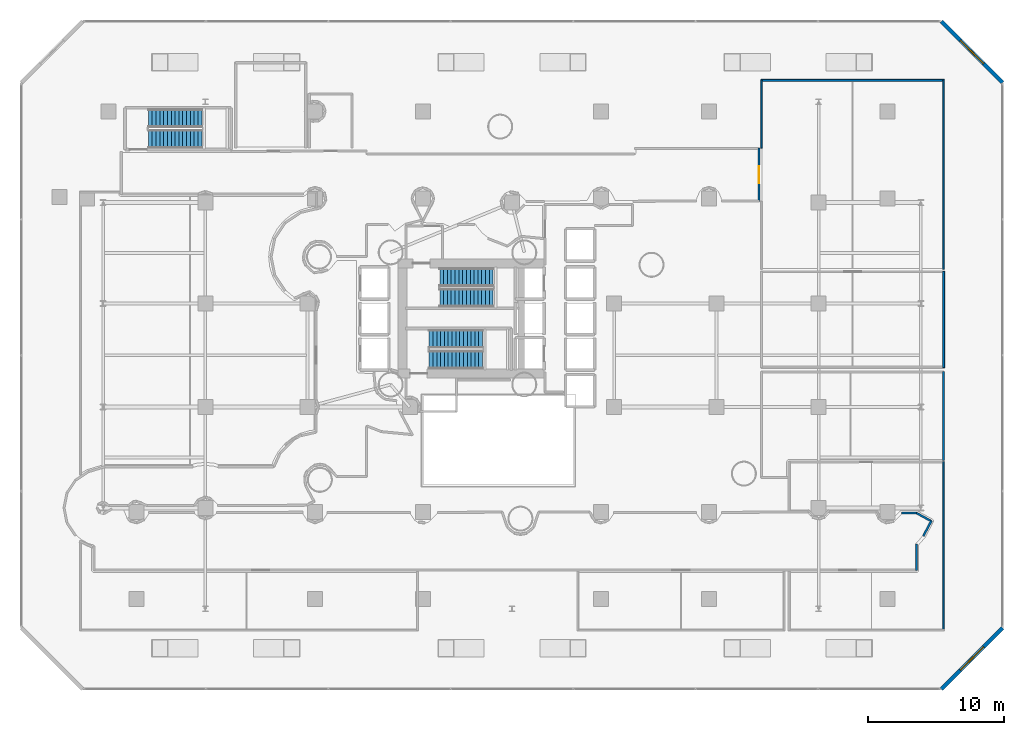
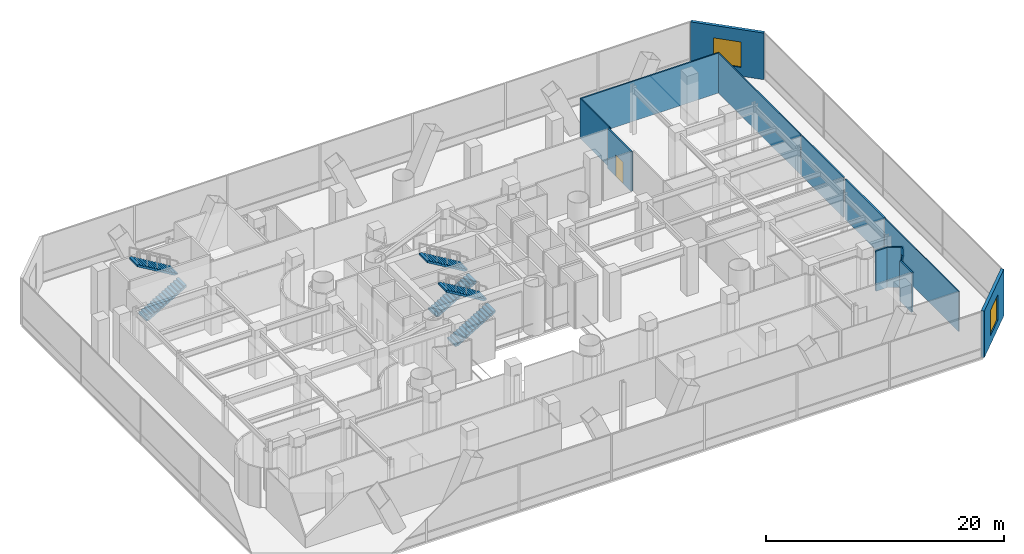
# One storey, part 35 of 42: 13 walls, 6 stair flights, 2 windows, 1 door, 3 openings, 3 elements without a shape of their own.
"""IFC4 building model written with IfcOpenShell, lengths in metres."""

from ifc_helpers import new_model, si_unit, direction, frame, frame_2d, origin, place, context, subcontext, project, spatial, polyline, rectangle, outline, extrude, material, layer, layer_set, type_object, element, fill, aggregate, save


model = new_model("IFC4")

# Units and contexts
model_context = context("Model", 3, precision=1e-05, world=origin(), true_north=direction((0.0, 1.0)))
body_context = subcontext(model_context, "Body", "Model", "MODEL_VIEW")
ifc_project = project(units=[si_unit("LENGTHUNIT", "METRE"), si_unit("AREAUNIT", "SQUARE_METRE"), si_unit("VOLUMEUNIT", "CUBIC_METRE"), si_unit("PLANEANGLEUNIT", "RADIAN"), si_unit("MASSUNIT", "GRAM", prefix="KILO")], contexts=[model_context])

# Site, building, storey
site_placement = place(None, origin())
site = spatial("IfcSite", under=ifc_project, at=site_placement, CompositionType="ELEMENT")
building_placement = place(site_placement, origin())
building = spatial("IfcBuilding", under=site, at=building_placement, Name="Qianvela Tower", CompositionType="ELEMENT")
storey_placement = place(building_placement, frame((0.0, 0.0, 6.0)))
storey = spatial("IfcBuildingStorey", under=building, at=storey_placement, Name="L01", CompositionType="ELEMENT", Elevation=6.0)

# Wall, opening, window
ifc_material_1 = material(Name="Terracotta Cladding on Concrete C40", Category="masonry")
ifc_layer_1 = layer(ifc_material_1, 0.280029296875)
ifc_layer_set_1 = layer_set([ifc_layer_1], Name="Terracotta Cladding on Concrete C40")
wall_type_1 = type_object("IfcWallType", Name="TERRACOTTA-WALL-280", PredefinedType="SOLIDWALL", material=ifc_layer_set_1)
wall_1_placement = place(storey_placement, frame((69.0, 1.5, 0.0), z_axis=(0.0, 0.0, 1.0), x_axis=(0.707106781187, 0.707106781187, 0.0)))
wall_1 = element("IfcWall", 1, at=wall_1_placement, inside=storey, type_object=wall_type_1, Name="L01 Terracotta Corner Wall 2", PredefinedType="SOLIDWALL", context=body_context, shape_type="SweptSolid", body=[
    extrude(rectangle(XDim=6.364013671875, YDim=0.280029296875, at=frame_2d((3.18212890625, 0.0))), origin(), (0.0, 0.0, 1.0), 4.780029296875),
])
opening_1_placement = place(wall_1_placement, frame((1.98193359375, 0.0, 0.89990234375)))
opening_1 = element("IfcOpeningElement", 2, at=opening_1_placement, cuts=wall_1, Name="Opening W-05", PredefinedType="OPENING", context=body_context, shape_type="SweptSolid", body=[
    extrude(rectangle(XDim=2.39990234375, YDim=2.60009765625, at=frame_2d((1.199951171875, 1.300048828125))), frame((0.0, 0.14990234375, 0.0), z_axis=(0.0, -1.0, 0.0), x_axis=(1.0, 0.0, 0.0)), (0.0, 0.0, 1.0), 0.300048828125),
])
ifc_material_2 = material(Name="Thermally Broken Aluminium and Low-E Glass", Category="aluminium")
window_type = type_object("IfcWindowType", Name="WIN-POD-2400x2600", PartitioningType="TRIPLE_PANEL_VERTICAL", PredefinedType="WINDOW", material=ifc_material_2)
window_1_placement = place(opening_1_placement, origin())
window_1 = element("IfcWindow", 3, at=window_1_placement, inside=storey, type_object=window_type, Name="L01 Chamfer Facet Window 2.1", OverallHeight=2.60009765625, OverallWidth=2.39990234375, PartitioningType="SINGLE_PANEL", PredefinedType="WINDOW", context=body_context, shape_type="SweptSolid", body=[
    extrude(rectangle(XDim=2.39990234375, YDim=2.60009765625, at=frame_2d((1.199951171875, 1.300048828125))), frame((0.0, 0.030029296875, 0.0), z_axis=(0.0, -1.0, 0.0), x_axis=(1.0, 0.0, 0.0)), (0.0, 0.0, 1.0), 0.06005859375),
])
fill(opening_1, window_1)

wall_2_placement = place(storey_placement, frame((73.5, 46.0, 0.0), z_axis=(0.0, 0.0, 1.0), x_axis=(-0.707106781187, 0.707106781187, 0.0)))
wall_2 = element("IfcWall", 4, at=wall_2_placement, inside=storey, type_object=wall_type_1, Name="L01 Terracotta Corner Wall 4", PredefinedType="SOLIDWALL", context=body_context, shape_type="SweptSolid", body=[
    extrude(rectangle(XDim=6.364013671875, YDim=0.280029296875, at=frame_2d((3.18212890625, 0.0))), origin(), (0.0, 0.0, 1.0), 4.780029296875),
])
opening_2_placement = place(wall_2_placement, frame((1.98193359375, 0.0, 0.89990234375)))
opening_2 = element("IfcOpeningElement", 5, at=opening_2_placement, cuts=wall_2, Name="Opening W-05", PredefinedType="OPENING", context=body_context, shape_type="SweptSolid", body=[
    extrude(rectangle(XDim=2.39990234375, YDim=2.60009765625, at=frame_2d((1.199951171875, 1.300048828125))), frame((0.0, 0.14990234375, 0.0), z_axis=(0.0, -1.0, 0.0), x_axis=(1.0, 0.0, 0.0)), (0.0, 0.0, 1.0), 0.300048828125),
])
window_2_placement = place(opening_2_placement, origin())
window_2 = element("IfcWindow", 6, at=window_2_placement, inside=storey, type_object=window_type, Name="L01 Chamfer Facet Window 4.1", OverallHeight=2.60009765625, OverallWidth=2.39990234375, PartitioningType="SINGLE_PANEL", PredefinedType="WINDOW", context=body_context, shape_type="SweptSolid", body=[
    extrude(rectangle(XDim=2.39990234375, YDim=2.60009765625, at=frame_2d((1.199951171875, 1.300048828125))), frame((0.0, 0.030029296875, 0.0), z_axis=(0.0, -1.0, 0.0), x_axis=(1.0, 0.0, 0.0)), (0.0, 0.0, 1.0), 0.06005859375),
])
fill(opening_2, window_2)

# Walls
ifc_material_3 = material(Name="Fire-Rated Acoustic Gypsum Board")
ifc_layer_2 = layer(ifc_material_3, 0.14990234375)
ifc_layer_set_2 = layer_set([ifc_layer_2], Name="Fire-Rated Acoustic Gypsum Board")
wall_type_2 = type_object("IfcWallType", Name="WT-CORR-150", PredefinedType="PARTITIONING", material=ifc_layer_set_2)
wall_3_placement = place(storey_placement, frame((66.0703125, 14.426513671875, 0.0), z_axis=(0.0, 0.0, 1.0), x_axis=(0.999997054401, 0.002427177317, 0.0)))
element("IfcWall", 7, at=wall_3_placement, inside=storey, type_object=wall_type_2, Name="L01 Partition 70", PredefinedType="PARTITIONING", context=body_context, shape_type="SweptSolid", body=[
    extrude(rectangle(XDim=1.1064453125, YDim=0.14990234375, at=frame_2d((0.55322265625, 0.0))), origin(), (0.0, 0.0, 1.0), 4.10009765625),
])
wall_4_placement = place(storey_placement, frame((67.16162109375, 14.43310546875, 0.0), z_axis=(0.0, 0.0, 1.0), x_axis=(0.876111653996, -0.482108255201, 0.0)))
element("IfcWall", 8, at=wall_4_placement, inside=storey, type_object=wall_type_2, Name="L01 Partition 71", PredefinedType="PARTITIONING", context=body_context, shape_type="SweptSolid", body=[
    extrude(rectangle(XDim=1.28564453125, YDim=0.14990234375, at=frame_2d((0.642822265625, 0.0))), origin(), (0.0, 0.0, 1.0), 4.10009765625),
])
wall_5_placement = place(storey_placement, frame((68.275634765625, 13.85498046875, 0.0), z_axis=(0.0, 0.0, 1.0), x_axis=(-0.471387600401, -0.881926147809, 0.0)))
element("IfcWall", 9, at=wall_5_placement, inside=storey, type_object=wall_type_2, Name="L01 Partition 72", PredefinedType="PARTITIONING", context=body_context, shape_type="SweptSolid", body=[
    extrude(rectangle(XDim=1.267822265625, YDim=0.14990234375, at=frame_2d((0.6337890625, 0.0))), origin(), (0.0, 0.0, 1.0), 4.10009765625),
])
wall_6_placement = place(storey_placement, frame((67.1689453125, 12.149169921875, 0.0), z_axis=(0.0, 0.0, 1.0), x_axis=(0.0, -1.0, 0.0)))
element("IfcWall", 10, at=wall_6_placement, inside=storey, type_object=wall_type_2, Name="L01 Partition 74", PredefinedType="PARTITIONING", context=body_context, shape_type="SweptSolid", body=[
    extrude(rectangle(XDim=1.94921875, YDim=0.14990234375, at=frame_2d((0.974609375, 0.0))), origin(), (0.0, 0.0, 1.0), 4.10009765625),
])

# Wall, opening, door
wall_7_placement = place(storey_placement, frame((55.618896484375, 41.199951171875, 0.0), z_axis=(0.0, 0.0, 1.0), x_axis=(0.0, -1.0, 0.0)))
wall_7 = element("IfcWall", 11, at=wall_7_placement, inside=storey, type_object=wall_type_2, Name="L01 Partition 118", PredefinedType="PARTITIONING", context=body_context, shape_type="SweptSolid", body=[
    extrude(rectangle(XDim=3.909912109375, YDim=0.14990234375, at=frame_2d((1.955078125, 0.0))), origin(), (0.0, 0.0, 1.0), 4.10009765625),
])
opening_3_placement = place(wall_7_placement, frame((1.330078125, 0.0, 0.0)))
opening_3 = element("IfcOpeningElement", 12, at=opening_3_placement, cuts=wall_7, Name="Opening D-LG1", PredefinedType="OPENING", context=body_context, shape_type="SweptSolid", body=[
    extrude(rectangle(XDim=1.25, YDim=2.199951171875, at=frame_2d((0.625, 1.10009765625))), frame((0.0, 0.0849609375, 0.0), z_axis=(0.0, -1.0, 0.0), x_axis=(1.0, 0.0, 0.0)), (0.0, 0.0, 1.0), 0.169921875),
])
ifc_material_4 = material(Name="Anodised Aluminium Acoustic Glass Door", Category="aluminium")
door_type = type_object("IfcDoorType", Name="DT-LOUNGE-1250", OperationType="NOTDEFINED", PredefinedType="DOOR", material=ifc_material_4)
door_placement = place(opening_3_placement, origin())
door = element("IfcDoor", 13, at=door_placement, inside=storey, type_object=door_type, Name="L01 Door L01 Academic Advising Office East to L01 Concourse Gallery Corridor", OperationType="SINGLE_SWING_LEFT", OverallHeight=2.199951171875, OverallWidth=1.25, PredefinedType="DOOR", context=body_context, shape_type="SweptSolid", body=[
    extrude(rectangle(XDim=1.25, YDim=2.199951171875, at=frame_2d((0.625, 1.10009765625))), frame((0.0, 0.02490234375, 0.0), z_axis=(0.0, -1.0, 0.0), x_axis=(1.0, 0.0, 0.0)), (0.0, 0.0, 1.0), 0.050048828125),
])
fill(opening_3, door)

# Walls
ifc_material_5 = material(Name="Lightweight Gypsum Room Partition")
ifc_layer_3 = layer(ifc_material_5, 0.10498046875)
ifc_layer_set_3 = layer_set([ifc_layer_3], Name="Lightweight Gypsum Room Partition")
wall_type_3 = type_object("IfcWallType", Name="WT-PART-105", PredefinedType="PARTITIONING", material=ifc_layer_set_3)
wall_8_placement = place(storey_placement, frame((69.1689453125, 18.199951171875, 0.0), z_axis=(0.0, 0.0, 1.0), x_axis=(0.0, -1.0, 0.0)))
element("IfcWall", 14, at=wall_8_placement, inside=storey, type_object=wall_type_3, Name="L01 Partition 243", PredefinedType="PARTITIONING", context=body_context, shape_type="SweptSolid", body=[
    extrude(rectangle(XDim=12.39990234375, YDim=0.10498046875, at=frame_2d((6.199951171875, 0.0))), origin(), (0.0, 0.0, 1.0), 4.10009765625),
])
wall_9_placement = place(storey_placement, frame((55.81103515625, 41.199951171875, 0.0), z_axis=(0.0, 0.0, 1.0), x_axis=(0.0, 1.0, 0.0)))
element("IfcWall", 15, at=wall_9_placement, inside=storey, type_object=wall_type_3, Name="L01 Partition 255 seg 2", PredefinedType="PARTITIONING", context=body_context, shape_type="SweptSolid", body=[
    extrude(rectangle(XDim=5.0, YDim=0.10498046875, at=frame_2d((2.5, 0.0))), origin(), (0.0, 0.0, 1.0), 4.10009765625),
])
ifc_material_6 = material(Name="Insulated Gypsum Stud Partition")
ifc_layer_4 = layer(ifc_material_6, 0.1201171875)
ifc_layer_set_4 = layer_set([ifc_layer_4], Name="Insulated Gypsum Stud Partition")
wall_type_4 = type_object("IfcWallType", Name="WT-PART-120", PredefinedType="PARTITIONING", material=ifc_layer_set_4)
wall_10_placement = place(storey_placement, frame((69.1689453125, 46.199951171875, 0.0), z_axis=(0.0, 0.0, 1.0), x_axis=(0.0, -1.0, 0.0)))
element("IfcWall", 16, at=wall_10_placement, inside=storey, type_object=wall_type_4, Name="L01 Partition 257", PredefinedType="PARTITIONING", context=body_context, shape_type="SweptSolid", body=[
    extrude(rectangle(XDim=13.89990234375, YDim=0.1201171875, at=frame_2d((6.949951171875, 0.0))), origin(), (0.0, 0.0, 1.0), 4.10009765625),
])
ifc_material_7 = material(Name="Sanitary Service Chase Partition")
ifc_layer_5 = layer(ifc_material_7, 0.1650390625)
ifc_layer_set_5 = layer_set([ifc_layer_5], Name="Sanitary Service Chase Partition")
wall_type_5 = type_object("IfcWallType", Name="WT-PLUMB-165", PredefinedType="PLUMBINGWALL", material=ifc_layer_set_5)
wall_11_placement = place(storey_placement, frame((69.1689453125, 24.800048828125, 0.0), z_axis=(0.0, 0.0, 1.0), x_axis=(0.0, -1.0, 0.0)))
element("IfcWall", 17, at=wall_11_placement, inside=storey, type_object=wall_type_5, Name="L01 Partition 249 seg 1", PredefinedType="PLUMBINGWALL", context=body_context, shape_type="SweptSolid", body=[
    extrude(rectangle(XDim=6.5380859375, YDim=0.1650390625, at=frame_2d((3.26904296875, 0.0))), origin(), (0.0, 0.0, 1.0), 4.10009765625),
])
ifc_material_8 = material(Name="Acoustic Double Gypsum Stud Partition")
ifc_layer_6 = layer(ifc_material_8, 0.139892578125)
ifc_layer_set_6 = layer_set([ifc_layer_6], Name="Acoustic Double Gypsum Stud Partition")
wall_type_6 = type_object("IfcWallType", Name="WT-ROOM-140", PredefinedType="PARTITIONING", material=ifc_layer_set_6)
wall_12_placement = place(storey_placement, frame((69.1689453125, 32.159912109375, 0.0), z_axis=(0.0, 0.0, 1.0), x_axis=(0.0, -1.0, 0.0)))
element("IfcWall", 18, at=wall_12_placement, inside=storey, type_object=wall_type_6, Name="L01 Partition 253", PredefinedType="PARTITIONING", context=body_context, shape_type="SweptSolid", body=[
    extrude(rectangle(XDim=7.059814453125, YDim=0.139892578125, at=frame_2d((3.52978515625, 0.0))), origin(), (0.0, 0.0, 1.0), 4.10009765625),
])
wall_13_placement = place(storey_placement, frame((55.780029296875, 46.1689453125, 0.0), z_axis=(0.0, 0.0, 1.0), x_axis=(1.0, 0.0, 0.0)))
element("IfcWall", 19, at=wall_13_placement, inside=storey, type_object=wall_type_6, Name="L01 Partition 256", PredefinedType="PARTITIONING", context=body_context, shape_type="SweptSolid", body=[
    extrude(rectangle(XDim=13.419921875, YDim=0.139892578125, at=frame_2d((6.7099609375, 0.0))), origin(), (0.0, 0.0, 1.0), 4.10009765625),
])

# Stair, stair flights
ifc_material_9 = material(Name="Concrete C40", Category="concrete")
stair_type = type_object("IfcStairType", Name="ST-DOGLEG-1350-R167-N30", PredefinedType="HALF_TURN_STAIR", material=ifc_material_9)
stair_1_placement = place(storey_placement, origin())
stair_1 = element("IfcStair", 20, at=stair_1_placement, inside=storey, type_object=stair_type, Name="L01 Smoke-Proof Core Stair ST-1", PredefinedType="HALF_TURN_STAIR")
ifc_material_10 = material(Name="Concrete C40", Category="concrete")
stair_flight_type = type_object("IfcStairFlightType", Name="STF-STRAIGHT-R167-P15", PredefinedType="STRAIGHT", material=ifc_material_10)
stair_flight_1_placement = place(storey_placement, frame((32.199951171875, 30.215087890625, 0.0), z_axis=(0.0, 0.0, 1.0), x_axis=(1.0, 0.0, 0.0)))
stair_flight_1 = element("IfcStairFlight", 21, at=stair_flight_1_placement, type_object=stair_flight_type, Name="ST-1 flight 1", NumberOfRisers=15, NumberOfTreads=14, PredefinedType="STRAIGHT", RiserHeight=0.166666667, TreadLength=0.28, context=body_context, shape_type="SweptSolid", body=[
    extrude(outline(polyline([(0.0, 0.0), (0.0, 0.166748046875), (0.280029296875, 0.166748046875), (0.280029296875, 0.333251953125), (0.56005859375, 0.333251953125), (0.56005859375, 0.5), (0.840087890625, 0.5), (0.840087890625, 0.666748046875), (1.1201171875, 0.666748046875), (1.1201171875, 0.833251953125), (1.39990234375, 0.833251953125), (1.39990234375, 1.0), (1.679931640625, 1.0), (1.679931640625, 1.166748046875), (1.9599609375, 1.166748046875), (1.9599609375, 1.333251953125), (2.239990234375, 1.333251953125), (2.239990234375, 1.5), (2.52001953125, 1.5), (2.52001953125, 1.666748046875), (2.800048828125, 1.666748046875), (2.800048828125, 1.833251953125), (3.080078125, 1.833251953125), (3.080078125, 2.0), (3.360107421875, 2.0), (3.360107421875, 2.166748046875), (3.639892578125, 2.166748046875), (3.639892578125, 2.333251953125), (3.919921875, 2.333251953125), (3.919921875, 2.5), (3.919921875, 2.158935546875), (0.29296875, 0.0), (0.0, 0.0)])), frame((0.0, 0.675048828125, 0.0), z_axis=(0.0, -1.0, 0.0), x_axis=(1.0, 0.0, 0.0)), (0.0, 0.0, 1.0), 1.35009765625),
])
stair_flight_2_placement = place(storey_placement, frame((36.1201171875, 31.72509765625, 2.5), z_axis=(0.0, 0.0, 1.0), x_axis=(-1.0, 0.0, 0.0)))
stair_flight_2 = element("IfcStairFlight", 22, at=stair_flight_2_placement, type_object=stair_flight_type, Name="ST-1 flight 2", NumberOfRisers=15, NumberOfTreads=14, PredefinedType="STRAIGHT", RiserHeight=0.166666667, TreadLength=0.28, context=body_context, shape_type="SweptSolid", body=[
    extrude(outline(polyline([(0.0, 0.0), (0.0, 0.166748046875), (0.280029296875, 0.166748046875), (0.280029296875, 0.333251953125), (0.56005859375, 0.333251953125), (0.56005859375, 0.5), (0.840087890625, 0.5), (0.840087890625, 0.666748046875), (1.1201171875, 0.666748046875), (1.1201171875, 0.833251953125), (1.39990234375, 0.833251953125), (1.39990234375, 1.0), (1.679931640625, 1.0), (1.679931640625, 1.166748046875), (1.9599609375, 1.166748046875), (1.9599609375, 1.333251953125), (2.239990234375, 1.333251953125), (2.239990234375, 1.5), (2.52001953125, 1.5), (2.52001953125, 1.666748046875), (2.800048828125, 1.666748046875), (2.800048828125, 1.833251953125), (3.080078125, 1.833251953125), (3.080078125, 2.0), (3.360107421875, 2.0), (3.360107421875, 2.166748046875), (3.639892578125, 2.166748046875), (3.639892578125, 2.333251953125), (3.919921875, 2.333251953125), (3.919921875, 2.5), (3.919921875, 2.158935546875), (0.29296875, 0.0), (0.0, 0.0)])), frame((0.0, 0.675048828125, 0.0), z_axis=(0.0, -1.0, 0.0), x_axis=(1.0, 0.0, 0.0)), (0.0, 0.0, 1.0), 1.35009765625),
])
aggregate(stair_1, [stair_flight_1, stair_flight_2])

stair_2_placement = place(storey_placement, origin())
stair_2 = element("IfcStair", 23, at=stair_2_placement, inside=storey, type_object=stair_type, Name="L01 Smoke-Proof Core Stair ST-2", PredefinedType="HALF_TURN_STAIR")
stair_flight_3_placement = place(storey_placement, frame((31.419921875, 25.675048828125, 0.0), z_axis=(0.0, 0.0, 1.0), x_axis=(1.0, 0.0, 0.0)))
stair_flight_3 = element("IfcStairFlight", 24, at=stair_flight_3_placement, type_object=stair_flight_type, Name="ST-2 flight 1", NumberOfRisers=15, NumberOfTreads=14, PredefinedType="STRAIGHT", RiserHeight=0.166666667, TreadLength=0.28, context=body_context, shape_type="SweptSolid", body=[
    extrude(outline(polyline([(0.0, 0.0), (0.0, 0.166748046875), (0.280029296875, 0.166748046875), (0.280029296875, 0.333251953125), (0.56005859375, 0.333251953125), (0.56005859375, 0.5), (0.840087890625, 0.5), (0.840087890625, 0.666748046875), (1.1201171875, 0.666748046875), (1.1201171875, 0.833251953125), (1.39990234375, 0.833251953125), (1.39990234375, 1.0), (1.679931640625, 1.0), (1.679931640625, 1.166748046875), (1.9599609375, 1.166748046875), (1.9599609375, 1.333251953125), (2.239990234375, 1.333251953125), (2.239990234375, 1.5), (2.52001953125, 1.5), (2.52001953125, 1.666748046875), (2.800048828125, 1.666748046875), (2.800048828125, 1.833251953125), (3.080078125, 1.833251953125), (3.080078125, 2.0), (3.360107421875, 2.0), (3.360107421875, 2.166748046875), (3.639892578125, 2.166748046875), (3.639892578125, 2.333251953125), (3.919921875, 2.333251953125), (3.919921875, 2.5), (3.919921875, 2.158935546875), (0.29296875, 0.0), (0.0, 0.0)])), frame((0.0, 0.675048828125, 0.0), z_axis=(0.0, -1.0, 0.0), x_axis=(1.0, 0.0, 0.0)), (0.0, 0.0, 1.0), 1.35009765625),
])
stair_flight_4_placement = place(storey_placement, frame((35.340087890625, 27.18505859375, 2.5), z_axis=(0.0, 0.0, 1.0), x_axis=(-1.0, 0.0, 0.0)))
stair_flight_4 = element("IfcStairFlight", 25, at=stair_flight_4_placement, type_object=stair_flight_type, Name="ST-2 flight 2", NumberOfRisers=15, NumberOfTreads=14, PredefinedType="STRAIGHT", RiserHeight=0.166666667, TreadLength=0.28, context=body_context, shape_type="SweptSolid", body=[
    extrude(outline(polyline([(0.0, 0.0), (0.0, 0.166748046875), (0.280029296875, 0.166748046875), (0.280029296875, 0.333251953125), (0.56005859375, 0.333251953125), (0.56005859375, 0.5), (0.840087890625, 0.5), (0.840087890625, 0.666748046875), (1.1201171875, 0.666748046875), (1.1201171875, 0.833251953125), (1.39990234375, 0.833251953125), (1.39990234375, 1.0), (1.679931640625, 1.0), (1.679931640625, 1.166748046875), (1.9599609375, 1.166748046875), (1.9599609375, 1.333251953125), (2.239990234375, 1.333251953125), (2.239990234375, 1.5), (2.52001953125, 1.5), (2.52001953125, 1.666748046875), (2.800048828125, 1.666748046875), (2.800048828125, 1.833251953125), (3.080078125, 1.833251953125), (3.080078125, 2.0), (3.360107421875, 2.0), (3.360107421875, 2.166748046875), (3.639892578125, 2.166748046875), (3.639892578125, 2.333251953125), (3.919921875, 2.333251953125), (3.919921875, 2.5), (3.919921875, 2.158935546875), (0.29296875, 0.0), (0.0, 0.0)])), frame((0.0, 0.675048828125, 0.0), z_axis=(0.0, -1.0, 0.0), x_axis=(1.0, 0.0, 0.0)), (0.0, 0.0, 1.0), 1.35009765625),
])
aggregate(stair_2, [stair_flight_3, stair_flight_4])

stair_3_placement = place(storey_placement, origin())
stair_3 = element("IfcStair", 26, at=stair_3_placement, inside=storey, type_object=stair_type, Name="L01 Smoke-Proof Core Stair ST-3", PredefinedType="HALF_TURN_STAIR")
stair_flight_5_placement = place(storey_placement, frame((10.820068359375, 41.875, 0.0), z_axis=(0.0, 0.0, 1.0), x_axis=(1.0, 0.0, 0.0)))
stair_flight_5 = element("IfcStairFlight", 27, at=stair_flight_5_placement, type_object=stair_flight_type, Name="ST-3 flight 1", NumberOfRisers=15, NumberOfTreads=14, PredefinedType="STRAIGHT", RiserHeight=0.166666667, TreadLength=0.28, context=body_context, shape_type="SweptSolid", body=[
    extrude(outline(polyline([(0.0, 0.0), (0.0, 0.166748046875), (0.280029296875, 0.166748046875), (0.280029296875, 0.333251953125), (0.56005859375, 0.333251953125), (0.56005859375, 0.5), (0.840087890625, 0.5), (0.840087890625, 0.666748046875), (1.1201171875, 0.666748046875), (1.1201171875, 0.833251953125), (1.39990234375, 0.833251953125), (1.39990234375, 1.0), (1.679931640625, 1.0), (1.679931640625, 1.166748046875), (1.9599609375, 1.166748046875), (1.9599609375, 1.333251953125), (2.239990234375, 1.333251953125), (2.239990234375, 1.5), (2.52001953125, 1.5), (2.52001953125, 1.666748046875), (2.800048828125, 1.666748046875), (2.800048828125, 1.833251953125), (3.080078125, 1.833251953125), (3.080078125, 2.0), (3.360107421875, 2.0), (3.360107421875, 2.166748046875), (3.639892578125, 2.166748046875), (3.639892578125, 2.333251953125), (3.919921875, 2.333251953125), (3.919921875, 2.5), (3.919921875, 2.158935546875), (0.29296875, 0.0), (0.0, 0.0)])), frame((0.0, 0.675048828125, 0.0), z_axis=(0.0, -1.0, 0.0), x_axis=(1.0, 0.0, 0.0)), (0.0, 0.0, 1.0), 1.35009765625),
])
stair_flight_6_placement = place(storey_placement, frame((14.739990234375, 43.385009765625, 2.5), z_axis=(0.0, 0.0, 1.0), x_axis=(-1.0, 0.0, 0.0)))
stair_flight_6 = element("IfcStairFlight", 28, at=stair_flight_6_placement, type_object=stair_flight_type, Name="ST-3 flight 2", NumberOfRisers=15, NumberOfTreads=14, PredefinedType="STRAIGHT", RiserHeight=0.166666667, TreadLength=0.28, context=body_context, shape_type="SweptSolid", body=[
    extrude(outline(polyline([(0.0, 0.0), (0.0, 0.166748046875), (0.280029296875, 0.166748046875), (0.280029296875, 0.333251953125), (0.56005859375, 0.333251953125), (0.56005859375, 0.5), (0.840087890625, 0.5), (0.840087890625, 0.666748046875), (1.1201171875, 0.666748046875), (1.1201171875, 0.833251953125), (1.39990234375, 0.833251953125), (1.39990234375, 1.0), (1.679931640625, 1.0), (1.679931640625, 1.166748046875), (1.9599609375, 1.166748046875), (1.9599609375, 1.333251953125), (2.239990234375, 1.333251953125), (2.239990234375, 1.5), (2.52001953125, 1.5), (2.52001953125, 1.666748046875), (2.800048828125, 1.666748046875), (2.800048828125, 1.833251953125), (3.080078125, 1.833251953125), (3.080078125, 2.0), (3.360107421875, 2.0), (3.360107421875, 2.166748046875), (3.639892578125, 2.166748046875), (3.639892578125, 2.333251953125), (3.919921875, 2.333251953125), (3.919921875, 2.5), (3.919921875, 2.158935546875), (0.29296875, 0.0), (0.0, 0.0)])), frame((0.0, 0.675048828125, 0.0), z_axis=(0.0, -1.0, 0.0), x_axis=(1.0, 0.0, 0.0)), (0.0, 0.0, 1.0), 1.35009765625),
])
aggregate(stair_3, [stair_flight_5, stair_flight_6])

save(model, "model.ifc")
